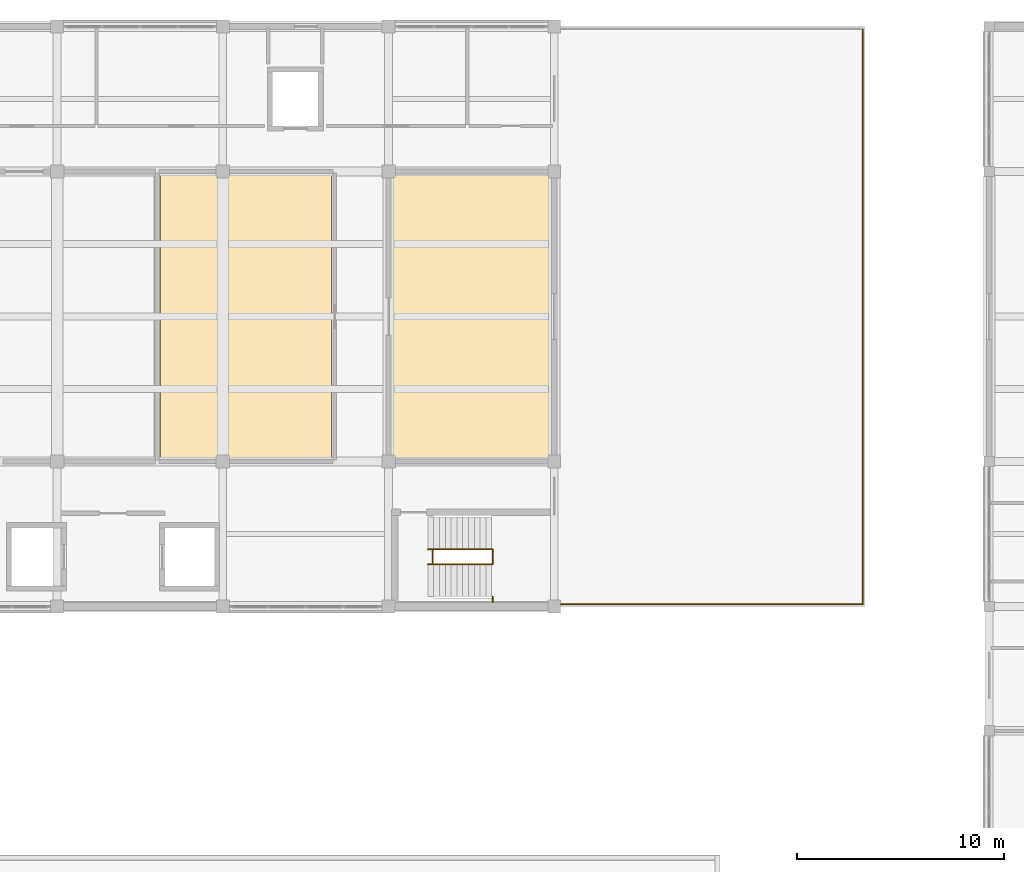
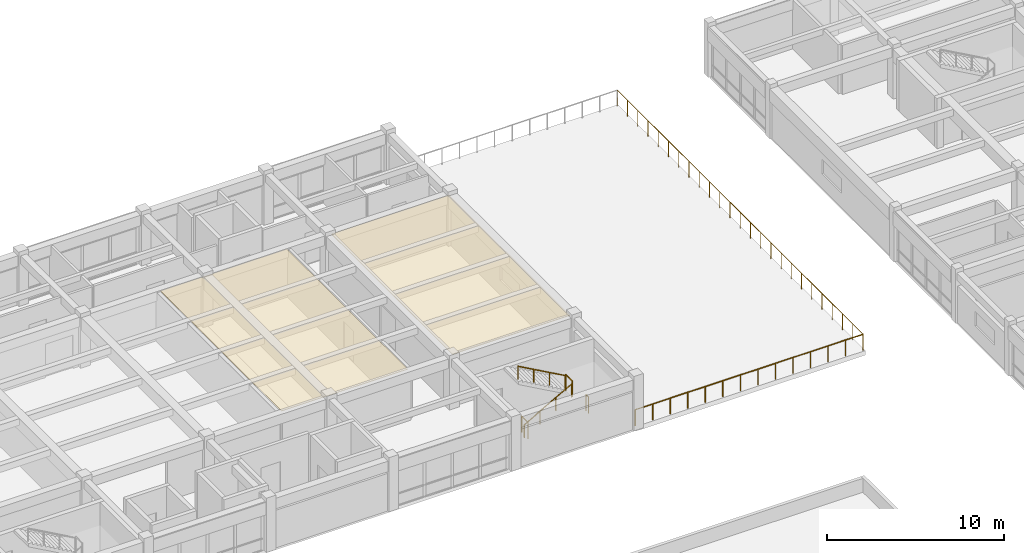
# One storey, part 20 of 22: 7 railings, 2 coverings.
"""IFC4 building model written with IfcOpenShell, lengths in metres."""

import ifcopenshell
import ifcopenshell.guid

model = None  # the IFC model being written
_history = None  # IfcOwnerHistory: only IFC2X3 demands one
_inside = {}  # id of a spatial element -> (the spatial element, [elements in it])
_under = {}  # id of a project, library or spatial element -> (it, [spatial elements below it])
_declared = {}  # id of a project -> (the project, [libraries it declares])
_typed = {}  # id of a type object -> (the type object, [elements of that type])
_made_of = {}  # id of a material, layer set ... -> (it, [elements and type objects made of it])


def new_model(schema):
    """Start an empty IFC model of exactly this schema.

    Asked for "IFC4X3", IfcOpenShell would pick the latest addendum, in which some entities
    have other attributes; the version numbers below select the first issue.
    IFC2X3 requires an IfcOwnerHistory on every rooted entity: one is made here for all.
    """
    global model, _history
    if schema == "IFC4X3":
        model = ifcopenshell.file(schema_version=(4, 3, 0, 0))
    else:
        model = ifcopenshell.file(schema=schema)
    _inside.clear()
    _under.clear()
    _declared.clear()
    _typed.clear()
    _made_of.clear()
    _history = None
    if model.schema == "IFC2X3":
        org = make("IfcOrganization", Name="unknown")
        user = make(
            "IfcPersonAndOrganization",
            ThePerson=make("IfcPerson", FamilyName="unknown"),
            TheOrganization=org,
        )
        app = make(
            "IfcApplication",
            ApplicationDeveloper=org,
            Version="unknown",
            ApplicationFullName="unknown",
            ApplicationIdentifier="unknown",
        )
        _history = make(
            "IfcOwnerHistory",
            OwningUser=user,
            OwningApplication=app,
            ChangeAction="ADDED",
            CreationDate=0,
        )
    return model


def make(cls, **values):
    """One entity of the class cls with the attributes given. An attribute that is None is left unset."""
    return model.create_entity(
        cls, **{name: value for name, value in values.items() if value is not None}
    )


def rooted(cls, **values):
    """An entity with a GlobalId (a new one), such as an element, a storey or a relation."""
    return make(cls, GlobalId=ifcopenshell.guid.new(), OwnerHistory=_history, **values)


def si_unit(unit_type, name, prefix=None):
    """IfcSIUnit, for example si_unit("LENGTHUNIT", "METRE", prefix="MILLI")."""
    return make("IfcSIUnit", UnitType=unit_type, Prefix=prefix, Name=name)


def assignment(units):
    """IfcUnitAssignment: the units of a project."""
    return None if units is None else make("IfcUnitAssignment", Units=units)


def point(xyz):
    """IfcCartesianPoint."""
    return None if xyz is None else make("IfcCartesianPoint", Coordinates=xyz)


def direction(xyz):
    """IfcDirection."""
    return None if xyz is None else make("IfcDirection", DirectionRatios=xyz)


def frame(location, z_axis=None, x_axis=None):
    """IfcAxis2Placement3D, a coordinate frame: its origin and axes. An axis left out is left unset."""
    return make(
        "IfcAxis2Placement3D",
        Location=point(location),
        Axis=direction(z_axis),
        RefDirection=direction(x_axis),
    )


def frame_2d(location, x_axis=None):
    """IfcAxis2Placement2D, a coordinate frame in the plane: its origin and x axis."""
    return make(
        "IfcAxis2Placement2D", Location=point(location), RefDirection=direction(x_axis)
    )


def origin():
    """The frame at (0, 0, 0) with its axes left unset."""
    return frame((0.0, 0.0, 0.0))


def origin_2d():
    """The frame at (0, 0) in the plane with its x axis left unset."""
    return frame_2d((0.0, 0.0))


def place(relative_to, where):
    """IfcLocalPlacement: puts the frame where relative to a parent placement (None: the world)."""
    return make(
        "IfcLocalPlacement", PlacementRelTo=relative_to, RelativePlacement=where
    )


def context(
    kind, dimensions, precision=None, world=None, true_north=None, identifier=None
):
    """IfcGeometricRepresentationContext, for example the 3D "Model" context."""
    return make(
        "IfcGeometricRepresentationContext",
        ContextIdentifier=identifier,
        ContextType=kind,
        CoordinateSpaceDimension=dimensions,
        Precision=precision,
        WorldCoordinateSystem=world,
        TrueNorth=true_north,
    )


def subcontext(parent, identifier, kind, view, scale=None):
    """IfcGeometricRepresentationSubContext, for example "Body" below "Model"."""
    return make(
        "IfcGeometricRepresentationSubContext",
        ContextIdentifier=identifier,
        ContextType=kind,
        ParentContext=parent,
        TargetScale=scale,
        TargetView=view,
    )


def project(units=None, contexts=None):
    """IfcProject with its units and contexts."""
    return rooted(
        "IfcProject",
        Name="project",
        RepresentationContexts=contexts,
        UnitsInContext=assignment(units),
    )


def spatial(cls, under=None, at=None, **own):
    """A site, building, storey or space (cls), placed at a placement, below another one or the project."""
    s = rooted(cls, ObjectPlacement=at, **own)
    if under is not None:
        _under.setdefault(under.id(), (under, []))[1].append(s)
    return s


def polyline(points):
    """IfcPolyline through the points."""
    return make("IfcPolyline", Points=[point(p) for p in points])


def profile(cls, at=None, kind="AREA", **sizes):
    """A parametric profile (cls). Its sizes go by their IFC names, for example OverallWidth=200.0."""
    return make(cls, ProfileType=kind, Position=at, **sizes)


def circle(**sizes):
    """IfcCircleProfileDef."""
    return profile("IfcCircleProfileDef", **sizes)


def outline(outer, holes=None, kind="AREA"):
    """IfcArbitraryClosedProfileDef: a profile drawn as a closed curve; with holes, ...WithVoids."""
    if holes is None:
        return make("IfcArbitraryClosedProfileDef", ProfileType=kind, OuterCurve=outer)
    return make(
        "IfcArbitraryProfileDefWithVoids",
        ProfileType=kind,
        OuterCurve=outer,
        InnerCurves=holes,
    )


def extrude(swept, where, along, depth):
    """IfcExtrudedAreaSolid: the profile swept, set in the frame where, extruded along a direction by depth."""
    return make(
        "IfcExtrudedAreaSolid",
        SweptArea=swept,
        Position=where,
        ExtrudedDirection=direction(along),
        Depth=depth,
    )


def shape(context_of_items, identifier, shape_type, items):
    """IfcShapeRepresentation: the items that make up one representation, for example the "Body"."""
    return make(
        "IfcShapeRepresentation",
        ContextOfItems=context_of_items,
        RepresentationIdentifier=identifier,
        RepresentationType=shape_type,
        Items=items,
    )


def material(Name=None, Category=None):
    """IfcMaterial."""
    return make("IfcMaterial", Name=Name, Category=Category)


def layer(
    of_material, thickness, ventilated=None, Name=None, Category=None, Priority=None
):
    """IfcMaterialLayer: one layer of a wall or slab, of a material (None: an air gap)."""
    return make(
        "IfcMaterialLayer",
        Material=of_material,
        LayerThickness=thickness,
        IsVentilated=ventilated,
        Name=Name,
        Category=Category,
        Priority=Priority,
    )


def layer_set(layers, Name=None):
    """IfcMaterialLayerSet."""
    return make("IfcMaterialLayerSet", MaterialLayers=layers, LayerSetName=Name)


def made_of(thing, what):
    """Note that an element or type object is made of a material, layer set ...; save() writes the relation."""
    if what is not None:
        _made_of.setdefault(what.id(), (what, []))[1].append(thing)
    return thing


def type_object(cls, material=None, **own):
    """A type object (cls), such as IfcWallType, which elements share."""
    return made_of(rooted(cls, **own), material)


def element(
    cls,
    number,
    at=None,
    inside=None,
    cuts=None,
    type_object=None,
    material=None,
    context=None,
    identifier="Body",
    shape_type=None,
    held_by="IfcProductDefinitionShape",
    body=None,
    shapes=None,
    **own,
):
    """One element of the class cls, such as IfcWall. Its Tag is "e" and its number.

    at: its placement. inside: the storey or other place that contains it. cuts: it is an
    opening in that element (IfcRelVoidsElement). A single representation is given by context,
    identifier, shape_type and body (its items); several are given by shapes. held_by: the class
    of the entity that holds the representations. save() writes the other relations.
    """
    e = rooted(cls, Tag="e%d" % number, ObjectPlacement=at, **own)
    if body is not None:
        shapes = [shape(context, identifier, shape_type, body)]
    if shapes is not None:
        e.Representation = make(held_by, Representations=shapes)
    if inside is not None:
        _inside.setdefault(inside.id(), (inside, []))[1].append(e)
    if cuts is not None:
        rooted(
            "IfcRelVoidsElement", RelatingBuildingElement=cuts, RelatedOpeningElement=e
        )
    if type_object is not None:
        _typed.setdefault(type_object.id(), (type_object, []))[1].append(e)
    return made_of(e, material)


def aggregate(whole, parts):
    """IfcRelAggregates: a whole, such as a stair, and the parts it consists of."""
    return rooted("IfcRelAggregates", RelatingObject=whole, RelatedObjects=parts)


def save(model, path):
    """Write the relations noted so far, then the file.

    IfcRelAggregates (storeys below a building ...), IfcRelContainedInSpatialStructure (elements
    in a storey), IfcRelDefinesByType, IfcRelAssociatesMaterial and IfcRelDeclares: one each for
    every whole, place, type object, material and project.
    """
    for whole, parts in _under.values():
        aggregate(whole, parts)
    for where, things in _inside.values():
        rooted(
            "IfcRelContainedInSpatialStructure",
            RelatedElements=things,
            RelatingStructure=where,
        )
    for kind, things in _typed.values():
        rooted("IfcRelDefinesByType", RelatedObjects=things, RelatingType=kind)
    for what, things in _made_of.values():
        rooted("IfcRelAssociatesMaterial", RelatedObjects=things, RelatingMaterial=what)
    for by, libraries in _declared.values():
        rooted("IfcRelDeclares", RelatingContext=by, RelatedDefinitions=libraries)
    model.write(path)


model = new_model("IFC4")

# Units and contexts
model_context = context("Model", 3, precision=1e-05, world=origin(), true_north=direction((0.0, 1.0)))
body_context = subcontext(model_context, "Body", "Model", "MODEL_VIEW")
ifc_project = project(units=[si_unit("LENGTHUNIT", "METRE"), si_unit("AREAUNIT", "SQUARE_METRE"), si_unit("VOLUMEUNIT", "CUBIC_METRE"), si_unit("PLANEANGLEUNIT", "RADIAN"), si_unit("MASSUNIT", "GRAM", prefix="KILO")], contexts=[model_context])

# Site, building, storey
site_placement = place(None, origin())
site = spatial("IfcSite", under=ifc_project, at=site_placement, CompositionType="ELEMENT")
building_placement = place(site_placement, origin())
building = spatial("IfcBuilding", under=site, at=building_placement, Name="Naurynzar Civic Courthouse", CompositionType="ELEMENT")
storey_placement = place(building_placement, frame((0.0, 0.0, 25.800048828125)))
storey = spatial("IfcBuildingStorey", under=building, at=storey_placement, Name="L07", CompositionType="ELEMENT", Elevation=25.800048828125)

# Coverings
ifc_material_1 = material(Name="Acoustic Oak Timber Grade A", Category="wood")
ifc_layer_1 = layer(ifc_material_1, 0.044921875)
ifc_layer_set_1 = layer_set([ifc_layer_1], Name="CEIL-ACOUSTIC-OAK-45")
covering_type_1 = type_object("IfcCoveringType", Name="CEIL-ACOUSTIC-OAK-45", PredefinedType="CEILING", material=ifc_layer_set_1)
covering_1_placement = place(storey_placement, frame((0.0, 0.0, 3.364990234375)))
element("IfcCovering", 1, at=covering_1_placement, inside=storey, type_object=covering_type_1, Name="Acoustic suspended ceiling Civil Chamber Courtroom L07-E", PredefinedType="CEILING", context=body_context, shape_type="SweptSolid", body=[
    extrude(outline(polyline([(108.840087890625, 51.159912109375), (101.159912109375, 51.159912109375), (101.159912109375, 64.840087890625), (108.840087890625, 64.840087890625), (108.840087890625, 51.159912109375)])), origin(), (0.0, 0.0, 1.0), 0.044921875),
])
ifc_material_2 = material(Name="Mineral Fibre Acoustic Ceiling")
ifc_layer_2 = layer(ifc_material_2, 0.030029296875)
ifc_layer_set_2 = layer_set([ifc_layer_2], Name="CEIL-MINERAL-30")
covering_type_2 = type_object("IfcCoveringType", Name="CEIL-MINERAL-30", PredefinedType="CEILING", material=ifc_layer_set_2)
covering_2_placement = place(storey_placement, frame((0.0, 0.0, 3.364990234375)))
element("IfcCovering", 2, at=covering_2_placement, inside=storey, type_object=covering_type_2, Name="Acoustic suspended ceiling Jury Room 7A", PredefinedType="CEILING", context=body_context, shape_type="SweptSolid", body=[
    extrude(outline(polyline([(98.239990234375, 51.159912109375), (89.9951171875, 51.159912109375), (89.9951171875, 64.840087890625), (98.239990234375, 64.840087890625), (98.239990234375, 51.159912109375)])), origin(), (0.0, 0.0, 1.0), 0.030029296875),
])

# Railings
ifc_material_3 = material(Name="Brushed Stainless Steel 304", Category="steel")
railing_type_1 = type_object("IfcRailingType", Name="RAIL-BAL-1100", PredefinedType="BALUSTRADE", material=ifc_material_3)
railing_1_placement = place(storey_placement, frame((109.02001953125, 44.10009765625, 0.0)))
element("IfcRailing", 3, at=railing_1_placement, inside=storey, type_object=railing_type_1, Name="Roof garden perimeter balustrade guard GR-RG-V2E.1", PredefinedType="BALUSTRADE", context=body_context, shape_type="SweptSolid", body=[
    extrude(circle(Radius=0.02392578125, at=origin_2d()), frame((0.0, 0.0, 1.09619140625), z_axis=(1.0, 0.0, 0.0), x_axis=(0.0, 1.0, 0.0)), (0.0, 0.0, 1.0), 14.8798828125),
    extrude(circle(Radius=0.02099609375, at=origin_2d()), origin(), (0.0, 0.0, 1.0), 1.072021484375),
    extrude(circle(Radius=0.02099609375, at=origin_2d()), frame((1.14453125, 0.0, 0.0)), (0.0, 0.0, 1.0), 1.072021484375),
    extrude(circle(Radius=0.02099609375, at=origin_2d()), frame((2.289306640625, 0.0, 0.0)), (0.0, 0.0, 1.0), 1.072021484375),
    extrude(circle(Radius=0.02099609375, at=origin_2d()), frame((3.433837890625, 0.0, 0.0)), (0.0, 0.0, 1.0), 1.072021484375),
    extrude(circle(Radius=0.02099609375, at=origin_2d()), frame((4.578369140625, 0.0, 0.0)), (0.0, 0.0, 1.0), 1.072021484375),
    extrude(circle(Radius=0.02099609375, at=origin_2d()), frame((5.72314453125, 0.0, 0.0)), (0.0, 0.0, 1.0), 1.072021484375),
    extrude(circle(Radius=0.02099609375, at=origin_2d()), frame((6.86767578125, 0.0, 0.0)), (0.0, 0.0, 1.0), 1.072021484375),
    extrude(circle(Radius=0.02099609375, at=origin_2d()), frame((8.01220703125, 0.0, 0.0)), (0.0, 0.0, 1.0), 1.072021484375),
    extrude(circle(Radius=0.02099609375, at=origin_2d()), frame((9.15673828125, 0.0, 0.0)), (0.0, 0.0, 1.0), 1.072021484375),
    extrude(circle(Radius=0.02099609375, at=origin_2d()), frame((10.301513671875, 0.0, 0.0)), (0.0, 0.0, 1.0), 1.072021484375),
    extrude(circle(Radius=0.02099609375, at=origin_2d()), frame((11.446044921875, 0.0, 0.0)), (0.0, 0.0, 1.0), 1.072021484375),
    extrude(circle(Radius=0.02099609375, at=origin_2d()), frame((12.590576171875, 0.0, 0.0)), (0.0, 0.0, 1.0), 1.072021484375),
    extrude(circle(Radius=0.02099609375, at=origin_2d()), frame((13.7353515625, 0.0, 0.0)), (0.0, 0.0, 1.0), 1.072021484375),
    extrude(circle(Radius=0.02099609375, at=origin_2d()), frame((14.8798828125, 0.0, 0.0)), (0.0, 0.0, 1.0), 1.072021484375),
])
railing_2_placement = place(storey_placement, frame((123.89990234375, 44.10009765625, 0.0)))
element("IfcRailing", 4, at=railing_2_placement, inside=storey, type_object=railing_type_1, Name="Roof garden perimeter balustrade guard GR-RG-V2E.2", PredefinedType="BALUSTRADE", context=body_context, shape_type="SweptSolid", body=[
    extrude(circle(Radius=0.02392578125, at=origin_2d()), frame((0.0, 0.0, 1.09619140625), z_axis=(0.0, 1.0, 0.0), x_axis=(-1.0, 0.0, 0.0)), (0.0, 0.0, 1.0), 27.7998046875),
    extrude(circle(Radius=0.02099609375, at=origin_2d()), origin(), (0.0, 0.0, 1.0), 1.072021484375),
    extrude(circle(Radius=0.02099609375, at=origin_2d()), frame((0.0, 1.158203125, 0.0)), (0.0, 0.0, 1.0), 1.072021484375),
    extrude(circle(Radius=0.02099609375, at=origin_2d()), frame((0.0, 2.316650390625, 0.0)), (0.0, 0.0, 1.0), 1.072021484375),
    extrude(circle(Radius=0.02099609375, at=origin_2d()), frame((0.0, 3.47509765625, 0.0)), (0.0, 0.0, 1.0), 1.072021484375),
    extrude(circle(Radius=0.02099609375, at=origin_2d()), frame((0.0, 4.63330078125, 0.0)), (0.0, 0.0, 1.0), 1.072021484375),
    extrude(circle(Radius=0.02099609375, at=origin_2d()), frame((0.0, 5.79150390625, 0.0)), (0.0, 0.0, 1.0), 1.072021484375),
    extrude(circle(Radius=0.02099609375, at=origin_2d()), frame((0.0, 6.949951171875, 0.0)), (0.0, 0.0, 1.0), 1.072021484375),
    extrude(circle(Radius=0.02099609375, at=origin_2d()), frame((0.0, 8.1083984375, 0.0)), (0.0, 0.0, 1.0), 1.072021484375),
    extrude(circle(Radius=0.02099609375, at=origin_2d()), frame((0.0, 9.2666015625, 0.0)), (0.0, 0.0, 1.0), 1.072021484375),
    extrude(circle(Radius=0.02099609375, at=origin_2d()), frame((0.0, 10.4248046875, 0.0)), (0.0, 0.0, 1.0), 1.072021484375),
    extrude(circle(Radius=0.02099609375, at=origin_2d()), frame((0.0, 11.583251953125, 0.0)), (0.0, 0.0, 1.0), 1.072021484375),
    extrude(circle(Radius=0.02099609375, at=origin_2d()), frame((0.0, 12.74169921875, 0.0)), (0.0, 0.0, 1.0), 1.072021484375),
    extrude(circle(Radius=0.02099609375, at=origin_2d()), frame((0.0, 13.89990234375, 0.0)), (0.0, 0.0, 1.0), 1.072021484375),
    extrude(circle(Radius=0.02099609375, at=origin_2d()), frame((0.0, 15.05810546875, 0.0)), (0.0, 0.0, 1.0), 1.072021484375),
    extrude(circle(Radius=0.02099609375, at=origin_2d()), frame((0.0, 16.216552734375, 0.0)), (0.0, 0.0, 1.0), 1.072021484375),
    extrude(circle(Radius=0.02099609375, at=origin_2d()), frame((0.0, 17.375, 0.0)), (0.0, 0.0, 1.0), 1.072021484375),
    extrude(circle(Radius=0.02099609375, at=origin_2d()), frame((0.0, 18.533203125, 0.0)), (0.0, 0.0, 1.0), 1.072021484375),
    extrude(circle(Radius=0.02099609375, at=origin_2d()), frame((0.0, 19.69140625, 0.0)), (0.0, 0.0, 1.0), 1.072021484375),
    extrude(circle(Radius=0.02099609375, at=origin_2d()), frame((0.0, 20.849853515625, 0.0)), (0.0, 0.0, 1.0), 1.072021484375),
    extrude(circle(Radius=0.02099609375, at=origin_2d()), frame((0.0, 22.00830078125, 0.0)), (0.0, 0.0, 1.0), 1.072021484375),
    extrude(circle(Radius=0.02099609375, at=origin_2d()), frame((0.0, 23.16650390625, 0.0)), (0.0, 0.0, 1.0), 1.072021484375),
    extrude(circle(Radius=0.02099609375, at=origin_2d()), frame((0.0, 24.32470703125, 0.0)), (0.0, 0.0, 1.0), 1.072021484375),
    extrude(circle(Radius=0.02099609375, at=origin_2d()), frame((0.0, 25.483154296875, 0.0)), (0.0, 0.0, 1.0), 1.072021484375),
    extrude(circle(Radius=0.02099609375, at=origin_2d()), frame((0.0, 26.6416015625, 0.0)), (0.0, 0.0, 1.0), 1.072021484375),
    extrude(circle(Radius=0.02099609375, at=origin_2d()), frame((0.0, 27.7998046875, 0.0)), (0.0, 0.0, 1.0), 1.072021484375),
])
for number, where, name in (
    (5, (103.139892578125, 46.0400390625, 0.0), "Stair ST-V2B floor well slot guard L07"),
    (6, (106.02001953125, 46.0400390625, 1.875), "Stair ST-V2B-L07 half-landing well guard"),
):
    element("IfcRailing", number, at=place(storey_placement, frame(where)), inside=storey, type_object=railing_type_1, Name=name, PredefinedType="BALUSTRADE", context=body_context, shape_type="SweptSolid", body=[
        extrude(circle(Radius=0.02392578125, at=origin_2d()), frame((0.0, 0.0, 1.09619140625), z_axis=(0.0, 1.0, 0.0), x_axis=(-1.0, 0.0, 0.0)), (0.0, 0.0, 1.0), 0.719970703125),
        extrude(circle(Radius=0.02099609375, at=origin_2d()), origin(), (0.0, 0.0, 1.0), 1.072021484375),
        extrude(circle(Radius=0.02099609375, at=origin_2d()), frame((0.0, 0.719970703125, 0.0)), (0.0, 0.0, 1.0), 1.072021484375),
    ])
railing_3_placement = place(storey_placement, frame((106.02001953125, 44.195068359375, 1.875)))
element("IfcRailing", 7, at=railing_3_placement, inside=storey, type_object=railing_type_1, Name="Stair ST-V2B-L07 half-landing south slot guard", PredefinedType="BALUSTRADE", context=body_context, shape_type="SweptSolid", body=[
    extrude(circle(Radius=0.02392578125, at=origin_2d()), frame((0.0, 0.0, 1.09619140625), z_axis=(0.0, 1.0, 0.0), x_axis=(-1.0, 0.0, 0.0)), (0.0, 0.0, 1.0), 0.284912109375),
    extrude(circle(Radius=0.02099609375, at=origin_2d()), origin(), (0.0, 0.0, 1.0), 1.072021484375),
    extrude(circle(Radius=0.02099609375, at=origin_2d()), frame((0.0, 0.284912109375, 0.0)), (0.0, 0.0, 1.0), 1.072021484375),
])
ifc_material_4 = material(Name="Brushed Stainless Steel 304", Category="steel")
railing_type_2 = type_object("IfcRailingType", Name="RAIL-HR-900", PredefinedType="HANDRAIL", material=ifc_material_4)
railing_4_placement = place(storey_placement, frame((102.89990234375, 46.0400390625, 0.15625)))
element("IfcRailing", 8, at=railing_4_placement, inside=storey, type_object=railing_type_2, Name="Stair ST-V2B-L07 flight 1 handrail", PredefinedType="HANDRAIL", context=body_context, shape_type="SweptSolid", body=[
    extrude(circle(Radius=0.02392578125, at=origin_2d()), frame((0.0, 0.0, 0.8759765625), z_axis=(0.873241540666, 0.0, 0.487287606713), x_axis=(0.0, 1.0, 0.0)), (0.0, 0.0, 1.0), 3.527099609375),
    extrude(circle(Radius=0.02099609375, at=origin_2d()), origin(), (0.0, 0.0, 1.0), 0.851806640625),
    extrude(circle(Radius=0.02099609375, at=origin_2d()), frame((1.026611328125, 0.0, 0.572998046875)), (0.0, 0.0, 1.0), 0.851806640625),
    extrude(circle(Radius=0.02099609375, at=origin_2d()), frame((2.053466796875, 0.0, 1.145751953125)), (0.0, 0.0, 1.0), 0.851806640625),
    extrude(circle(Radius=0.02099609375, at=origin_2d()), frame((3.080078125, 0.0, 1.71875)), (0.0, 0.0, 1.0), 0.851806640625),
])
railing_5_placement = place(storey_placement, frame((105.97998046875, 46.760009765625, 2.03125)))
element("IfcRailing", 9, at=railing_5_placement, inside=storey, type_object=railing_type_2, Name="Stair ST-V2B-L07 flight 2 handrail", PredefinedType="HANDRAIL", context=body_context, shape_type="SweptSolid", body=[
    extrude(circle(Radius=0.02392578125, at=origin_2d()), frame((0.0, 0.0, 0.8759765625), z_axis=(-0.873241540666, 0.0, 0.487287606713), x_axis=(0.0, -1.0, 0.0)), (0.0, 0.0, 1.0), 3.527099609375),
    extrude(circle(Radius=0.02099609375, at=origin_2d()), origin(), (0.0, 0.0, 1.0), 0.851806640625),
    extrude(circle(Radius=0.02099609375, at=origin_2d()), frame((-1.026611328125, 0.0, 0.572998046875)), (0.0, 0.0, 1.0), 0.851806640625),
    extrude(circle(Radius=0.02099609375, at=origin_2d()), frame((-2.053466796875, 0.0, 1.145751953125)), (0.0, 0.0, 1.0), 0.851806640625),
    extrude(circle(Radius=0.02099609375, at=origin_2d()), frame((-3.080078125, 0.0, 1.71875)), (0.0, 0.0, 1.0), 0.851806640625),
])

save(model, "model.ifc")
